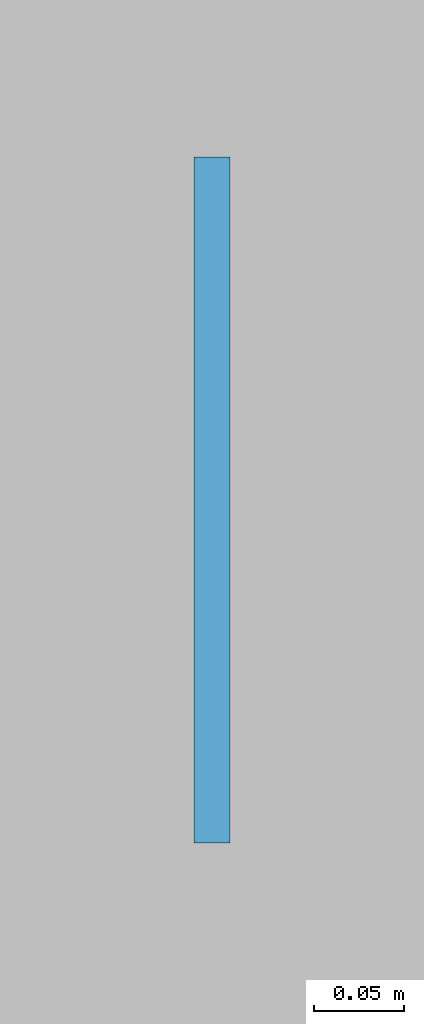
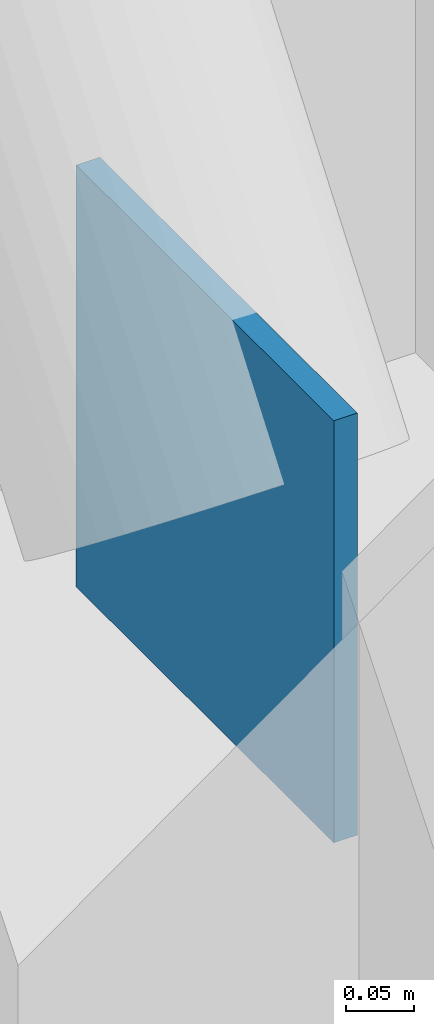
# One storey, part 24 of 41: 1 plate.
"""IFC4 building model written with IfcOpenShell, lengths in metres."""

from ifc_helpers import new_model, si_unit, direction, frame, origin, origin_2d, place, context, subcontext, project, spatial, rectangle, extrude, material, layer, layer_set, type_object, element, save


model = new_model("IFC4")

# Units and contexts
model_context = context("Model", 3, precision=1e-05, world=origin(), true_north=direction((0.0, 1.0)))
body_context = subcontext(model_context, "Body", "Model", "MODEL_VIEW")
ifc_project = project(units=[si_unit("LENGTHUNIT", "METRE"), si_unit("AREAUNIT", "SQUARE_METRE"), si_unit("VOLUMEUNIT", "CUBIC_METRE"), si_unit("PLANEANGLEUNIT", "RADIAN"), si_unit("MASSUNIT", "GRAM", prefix="KILO")], contexts=[model_context])

# Site, building, storey
site_placement = place(None, origin())
site = spatial("IfcSite", under=ifc_project, at=site_placement, CompositionType="ELEMENT")
building_placement = place(site_placement, origin())
building = spatial("IfcBuilding", under=site, at=building_placement, Name="Candilejo Ridge Gondola Terminal", CompositionType="ELEMENT")
storey_placement = place(building_placement, origin())
storey = spatial("IfcBuildingStorey", under=building, at=storey_placement, Name="L00", CompositionType="ELEMENT", Elevation=0.0)

# Plate
ifc_material = material(Name="Steel ASTM A572 Grade 50", Category="steel")
ifc_layer = layer(ifc_material, 0.02001953125)
ifc_layer_set = layer_set([ifc_layer], Name="STR-NODE-PLATE-380X380X20")
plate_type = type_object("IfcPlateType", Name="STR-NODE-PLATE-380X380X20", PredefinedType="USERDEFINED", material=ifc_layer_set)
plate_placement = place(storey_placement, frame((133.89990234375, 36.699951171875, 0.06005859375), z_axis=(0.0, 0.0, 1.0), x_axis=(1.0, 0.0, 0.0)))
element("IfcPlate", 1, at=plate_placement, inside=storey, type_object=plate_type, Name="Chevron gusset plate 215", ObjectType="NODE PLATE", PredefinedType="USERDEFINED", context=body_context, shape_type="SweptSolid", body=[
    extrude(rectangle(XDim=0.02001953125, YDim=0.3798828125, at=origin_2d()), origin(), (0.0, 0.0, 1.0), 0.3798828125),
])

save(model, "model.ifc")
